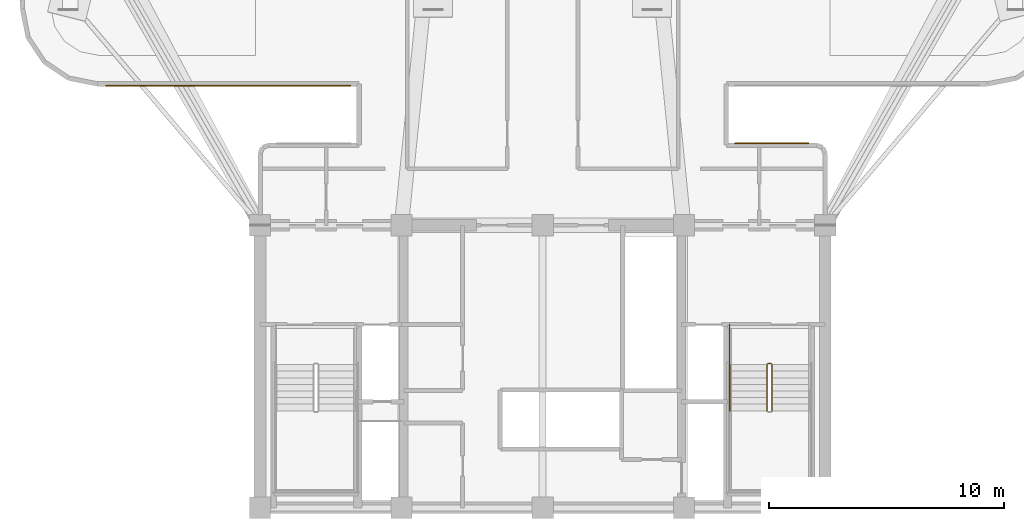
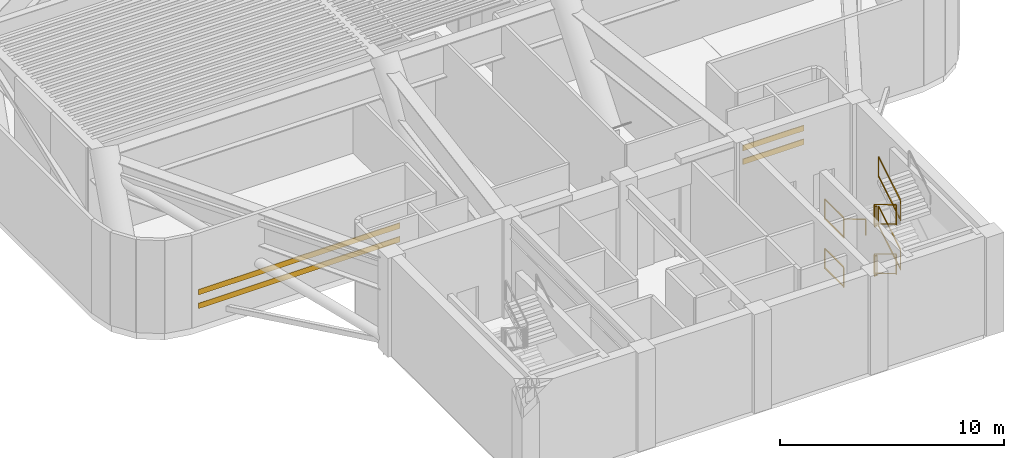
# One storey, part 9 of 10: 9 railings, 4 shading devices.
"""IFC4 building model written with IfcOpenShell, lengths in metres."""

from ifc_helpers import new_model, si_unit, direction, frame, origin, origin_2d, place, context, subcontext, project, spatial, rectangle, extrude, source, transform, mapped, material, layer, layer_set, material_profile, profile_set, type_object, element, save


model = new_model("IFC4")

# Units and contexts
model_context = context("Model", 3, precision=1e-05, world=origin(), true_north=direction((0.0, 1.0)))
body_context = subcontext(model_context, "Body", "Model", "MODEL_VIEW")
ifc_project = project(units=[si_unit("LENGTHUNIT", "METRE"), si_unit("AREAUNIT", "SQUARE_METRE"), si_unit("VOLUMEUNIT", "CUBIC_METRE"), si_unit("PLANEANGLEUNIT", "RADIAN"), si_unit("MASSUNIT", "GRAM", prefix="KILO")], contexts=[model_context])

# Site, building, storey
site_placement = place(None, origin())
site = spatial("IfcSite", under=ifc_project, at=site_placement, CompositionType="ELEMENT")
building_placement = place(site_placement, origin())
building = spatial("IfcBuilding", under=site, at=building_placement, Name="Brelvock Crest Care Tower", CompositionType="ELEMENT")
storey_placement = place(building_placement, frame((0.0, 0.0, 146.52001953125)))
storey = spatial("IfcBuildingStorey", under=building, at=storey_placement, Name="L37", CompositionType="ELEMENT", Elevation=146.52001953125)

# Railings
ifc_material_1 = material(Name="Steel Grade 350", Category="steel")
ifc_layer_1 = layer(ifc_material_1, 0.050048828125, Name="RL-STG1")
ifc_layer_set_1 = layer_set([ifc_layer_1], Name="Steel Grade 350")
railing_type_1 = type_object("IfcRailingType", Name="RL-STG1", PredefinedType="GUARDRAIL", material=ifc_layer_set_1)
railing_1_placement = place(storey_placement, frame((45.52001953125, 12.080078125, 0.168701171875)))
element("IfcRailing", 1, at=railing_1_placement, inside=storey, type_object=railing_type_1, Name="L37 ST-2 stair guard 1", PredefinedType="GUARDRAIL", context=body_context, shape_type="SweptSolid", body=[
    extrude(rectangle(XDim=0.048095703125, YDim=0.048095703125, at=origin_2d()), frame((0.0, -0.001708984375, 1.116943359375), z_axis=(0.0, -0.856446297458, 0.516236127728), x_axis=(1.0, 0.0, 0.0)), (0.0, 0.0, 1.0), 2.284423828125),
    extrude(rectangle(XDim=0.048095703125, YDim=0.048095703125, at=origin_2d()), frame((0.0, -0.001708984375, 0.05615234375), z_axis=(0.0, -0.856446297458, 0.516236127728), x_axis=(1.0, 0.0, 0.0)), (0.0, 0.0, 1.0), 2.284423828125),
    extrude(rectangle(XDim=0.0419921875, YDim=0.0419921875, at=origin_2d()), origin(), (0.0, 0.0, 1.0), 1.08984375),
    extrude(rectangle(XDim=0.0419921875, YDim=0.0419921875, at=origin_2d()), frame((0.0, -1.9599609375, 1.181396484375)), (0.0, 0.0, 1.0), 1.08984375),
])
railing_2_placement = place(storey_placement, frame((45.739990234375, 10.1201171875, 1.518798828125)))
element("IfcRailing", 2, at=railing_2_placement, inside=storey, type_object=railing_type_1, Name="L37 ST-2 stair guard 6", PredefinedType="GUARDRAIL", context=body_context, shape_type="SweptSolid", body=[
    extrude(rectangle(XDim=0.048095703125, YDim=0.048095703125, at=origin_2d()), frame((0.0, 0.001708984375, 1.116943359375), z_axis=(0.0, 0.856493463811, 0.516157869696), x_axis=(-1.0, 0.0, 0.0)), (0.0, 0.0, 1.0), 2.284423828125),
    extrude(rectangle(XDim=0.048095703125, YDim=0.048095703125, at=origin_2d()), frame((0.0, 0.001708984375, 0.05615234375), z_axis=(0.0, 0.856493463811, 0.516157869696), x_axis=(-1.0, 0.0, 0.0)), (0.0, 0.0, 1.0), 2.284423828125),
    extrude(rectangle(XDim=0.0419921875, YDim=0.0419921875, at=origin_2d()), origin(), (0.0, 0.0, 1.0), 1.08984375),
    extrude(rectangle(XDim=0.0419921875, YDim=0.0419921875, at=origin_2d()), frame((0.0, 1.9599609375, 1.18115234375)), (0.0, 0.0, 1.0), 1.08984375),
])
railing_3_placement = place(storey_placement, frame((45.570068359375, 12.1298828125, 2.699951171875)))
element("IfcRailing", 3, at=railing_3_placement, inside=storey, type_object=railing_type_1, Name="L37 ST-2 stair guard 7", PredefinedType="GUARDRAIL", context=body_context, shape_type="SweptSolid", body=[
    extrude(rectangle(XDim=0.048095703125, YDim=0.048095703125, at=origin_2d()), frame((0.001953125, 0.0, 1.11572265625), z_axis=(1.0, 0.0, 0.0), x_axis=(0.0, 1.0, 0.0)), (0.0, 0.0, 1.0), 0.115966796875),
    extrude(rectangle(XDim=0.048095703125, YDim=0.048095703125, at=origin_2d()), frame((0.001953125, 0.0, 0.054931640625), z_axis=(1.0, 0.0, 0.0), x_axis=(0.0, 1.0, 0.0)), (0.0, 0.0, 1.0), 0.115966796875),
    extrude(rectangle(XDim=0.0419921875, YDim=0.0419921875, at=origin_2d()), origin(), (0.0, 0.0, 1.0), 1.08984375),
    extrude(rectangle(XDim=0.0419921875, YDim=0.0419921875, at=origin_2d()), frame((0.119873046875, 0.0, 0.0)), (0.0, 0.0, 1.0), 1.08984375),
])
railing_4_placement = place(storey_placement, frame((43.93994140625, 13.780029296875, 2.699951171875)))
element("IfcRailing", 4, at=railing_4_placement, inside=storey, type_object=railing_type_1, Name="L37 ST-2 stair guard 8", PredefinedType="GUARDRAIL", context=body_context, shape_type="SweptSolid", body=[
    extrude(rectangle(XDim=0.048095703125, YDim=0.048095703125, at=origin_2d()), frame((0.0, -0.001953125, 1.11572265625), z_axis=(0.0, -1.0, 0.0), x_axis=(1.0, 0.0, 0.0)), (0.0, 0.0, 1.0), 1.696044921875),
    extrude(rectangle(XDim=0.048095703125, YDim=0.048095703125, at=origin_2d()), frame((0.0, -0.001953125, 0.054931640625), z_axis=(0.0, -1.0, 0.0), x_axis=(1.0, 0.0, 0.0)), (0.0, 0.0, 1.0), 1.696044921875),
    extrude(rectangle(XDim=0.0419921875, YDim=0.0419921875, at=origin_2d()), origin(), (0.0, 0.0, 1.0), 1.08984375),
    extrude(rectangle(XDim=0.0419921875, YDim=0.0419921875, at=origin_2d()), frame((0.0, -1.699951171875, 0.0)), (0.0, 0.0, 1.0), 1.08984375),
])
railing_5_placement = place(storey_placement, frame((45.52001953125, 12.080078125, 2.86865234375)))
element("IfcRailing", 5, at=railing_5_placement, inside=storey, type_object=railing_type_1, Name="L37 ST-2 stair guard 10", PredefinedType="GUARDRAIL", context=body_context, shape_type="SweptSolid", body=[
    extrude(rectangle(XDim=0.048095703125, YDim=0.048095703125, at=origin_2d()), frame((0.0, -0.001708984375, 1.116943359375), z_axis=(0.0, -0.856446297458, 0.516236127728), x_axis=(1.0, 0.0, 0.0)), (0.0, 0.0, 1.0), 2.284423828125),
    extrude(rectangle(XDim=0.048095703125, YDim=0.048095703125, at=origin_2d()), frame((0.0, -0.001708984375, 0.05615234375), z_axis=(0.0, -0.856446297458, 0.516236127728), x_axis=(1.0, 0.0, 0.0)), (0.0, 0.0, 1.0), 2.284423828125),
    extrude(rectangle(XDim=0.0419921875, YDim=0.0419921875, at=origin_2d()), origin(), (0.0, 0.0, 1.0), 1.08984375),
    extrude(rectangle(XDim=0.0419921875, YDim=0.0419921875, at=origin_2d()), frame((0.0, -1.9599609375, 1.181396484375)), (0.0, 0.0, 1.0), 1.08984375),
])
railing_6_placement = place(storey_placement, frame((45.739990234375, 10.1201171875, 4.21875)))
element("IfcRailing", 6, at=railing_6_placement, inside=storey, type_object=railing_type_1, Name="L37 ST-2 stair guard 15", PredefinedType="GUARDRAIL", context=body_context, shape_type="SweptSolid", body=[
    extrude(rectangle(XDim=0.048095703125, YDim=0.048095703125, at=origin_2d()), frame((0.0, 0.001708984375, 1.116943359375), z_axis=(0.0, 0.856493463811, 0.516157869696), x_axis=(-1.0, 0.0, 0.0)), (0.0, 0.0, 1.0), 2.284423828125),
    extrude(rectangle(XDim=0.048095703125, YDim=0.048095703125, at=origin_2d()), frame((0.0, 0.001708984375, 0.05615234375), z_axis=(0.0, 0.856493463811, 0.516157869696), x_axis=(-1.0, 0.0, 0.0)), (0.0, 0.0, 1.0), 2.284423828125),
    extrude(rectangle(XDim=0.0419921875, YDim=0.0419921875, at=origin_2d()), origin(), (0.0, 0.0, 1.0), 1.08984375),
    extrude(rectangle(XDim=0.0419921875, YDim=0.0419921875, at=origin_2d()), frame((0.0, 1.9599609375, 1.18115234375)), (0.0, 0.0, 1.0), 1.08984375),
])
railing_7_placement = place(storey_placement, frame((45.570068359375, 12.1298828125, 0.0)))
element("IfcRailing", 7, at=railing_7_placement, inside=storey, type_object=railing_type_1, Name="L37 ST-2 stair guard 16", PredefinedType="GUARDRAIL", context=body_context, shape_type="SweptSolid", body=[
    extrude(rectangle(XDim=0.048095703125, YDim=0.048095703125, at=origin_2d()), frame((0.001953125, 0.0, 1.11572265625), z_axis=(1.0, 0.0, 0.0), x_axis=(0.0, 1.0, 0.0)), (0.0, 0.0, 1.0), 0.115966796875),
    extrude(rectangle(XDim=0.048095703125, YDim=0.048095703125, at=origin_2d()), frame((0.001953125, 0.0, 0.054931640625), z_axis=(1.0, 0.0, 0.0), x_axis=(0.0, 1.0, 0.0)), (0.0, 0.0, 1.0), 0.115966796875),
    extrude(rectangle(XDim=0.0419921875, YDim=0.0419921875, at=origin_2d()), origin(), (0.0, 0.0, 1.0), 1.08984375),
    extrude(rectangle(XDim=0.0419921875, YDim=0.0419921875, at=origin_2d()), frame((0.119873046875, 0.0, 0.0)), (0.0, 0.0, 1.0), 1.08984375),
])
railing_8_placement = place(storey_placement, frame((43.93994140625, 13.780029296875, 0.0)))
element("IfcRailing", 8, at=railing_8_placement, inside=storey, type_object=railing_type_1, Name="L37 ST-2 stair guard 17", PredefinedType="GUARDRAIL", context=body_context, shape_type="SweptSolid", body=[
    extrude(rectangle(XDim=0.048095703125, YDim=0.048095703125, at=origin_2d()), frame((0.0, -0.001953125, 1.11572265625), z_axis=(0.0, -1.0, 0.0), x_axis=(1.0, 0.0, 0.0)), (0.0, 0.0, 1.0), 1.696044921875),
    extrude(rectangle(XDim=0.048095703125, YDim=0.048095703125, at=origin_2d()), frame((0.0, -0.001953125, 0.054931640625), z_axis=(0.0, -1.0, 0.0), x_axis=(1.0, 0.0, 0.0)), (0.0, 0.0, 1.0), 1.696044921875),
    extrude(rectangle(XDim=0.0419921875, YDim=0.0419921875, at=origin_2d()), origin(), (0.0, 0.0, 1.0), 1.08984375),
    extrude(rectangle(XDim=0.0419921875, YDim=0.0419921875, at=origin_2d()), frame((0.0, -1.699951171875, 0.0)), (0.0, 0.0, 1.0), 1.08984375),
])
ifc_layer_2 = layer(ifc_material_1, 0.048095703125, Name="RL-STH1")
ifc_layer_set_2 = layer_set([ifc_layer_2], Name="Steel Grade 350")
railing_type_2 = type_object("IfcRailingType", Name="RL-STH1", PredefinedType="HANDRAIL", material=ifc_layer_set_2)
railing_9_placement = place(storey_placement, frame((43.93994140625, 12.080078125, 2.86865234375)))
element("IfcRailing", 9, at=railing_9_placement, inside=storey, type_object=railing_type_2, Name="L37 ST-2 stair handrail 3", PredefinedType="HANDRAIL", context=body_context, shape_type="SweptSolid", body=[
    extrude(rectangle(XDim=0.048095703125, YDim=0.048095703125, at=origin_2d()), frame((0.0, -0.001708984375, 0.876953125), z_axis=(0.0, -0.856446297458, 0.516236127728), x_axis=(1.0, 0.0, 0.0)), (0.0, 0.0, 1.0), 2.284423828125),
    extrude(rectangle(XDim=0.0419921875, YDim=0.0419921875, at=origin_2d()), origin(), (0.0, 0.0, 1.0), 0.849853515625),
    extrude(rectangle(XDim=0.0419921875, YDim=0.0419921875, at=origin_2d()), frame((0.0, -1.9599609375, 1.181396484375)), (0.0, 0.0, 1.0), 0.849853515625),
])

# Shading devices
ifc_material_2 = material(Name="Aluminium 6063-T6", Category="aluminium")
ifc_material_profile = material_profile(ifc_material_2, rectangle(XDim=0.044921875, YDim=0.300048828125, at=origin_2d()), Name="LOUVRE45x300")
ifc_profile_set = profile_set([ifc_material_profile], Name="Aluminium 6063-T6")
shading_device_type = type_object("IfcShadingDeviceType", Name="SHD-LV1", PredefinedType="JALOUSIE", material=ifc_profile_set)
shared_shape_1 = source(origin(), body_context, "Body", "SweptSolid", [
    extrude(rectangle(XDim=0.044921875, YDim=0.300048828125, at=origin_2d()), origin(), (0.0, 0.0, 1.0), 3.150146484375),
])
for number, where, z_axis, x_axis, name in (
    (10, (44.14990234375, 21.47509765625, 1.10009765625), (1.0, 0.0, 0.0), (0.0, 1.0, 0.0), "L37 Crown Acoustic Louvre 46-1"),
    (11, (44.14990234375, 21.47509765625, 1.85009765625), (1.0, 0.0, 0.0), (0.0, 1.0, 0.0), "L37 Crown Acoustic Louvre 46-2"),
):
    element("IfcShadingDevice", number, at=place(storey_placement, frame(where, z_axis=z_axis, x_axis=x_axis)), inside=storey, type_object=shading_device_type, Name=name, PredefinedType="JALOUSIE", context=body_context, shape_type="MappedRepresentation", body=[
        mapped(shared_shape_1, transform((0.0, 0.0, 0.0), x_axis=(1.0, 0.0, 0.0), y_axis=(0.0, 1.0, 0.0), z_axis=(0.0, 0.0, 1.0), scale=1.0)),
    ])
shared_shape_2 = source(origin(), body_context, "Body", "SweptSolid", [
    extrude(rectangle(XDim=0.044921875, YDim=0.300048828125, at=origin_2d()), origin(), (0.0, 0.0, 1.0), 10.400146484375),
])
for number, where, z_axis, x_axis, name in (
    (12, (27.85009765625, 23.925048828125, 1.10009765625), (-1.0, 0.0, 0.0), (0.0, -1.0, 0.0), "L37 Crown Acoustic Louvre 12-1"),
    (13, (27.85009765625, 23.925048828125, 1.85009765625), (-1.0, 0.0, 0.0), (0.0, -1.0, 0.0), "L37 Crown Acoustic Louvre 12-2"),
):
    element("IfcShadingDevice", number, at=place(storey_placement, frame(where, z_axis=z_axis, x_axis=x_axis)), inside=storey, type_object=shading_device_type, Name=name, PredefinedType="JALOUSIE", context=body_context, shape_type="MappedRepresentation", body=[
        mapped(shared_shape_2, transform((0.0, 0.0, 0.0), x_axis=(1.0, 0.0, 0.0), y_axis=(0.0, 1.0, 0.0), z_axis=(0.0, 0.0, 1.0), scale=1.0)),
    ])

save(model, "model.ifc")
